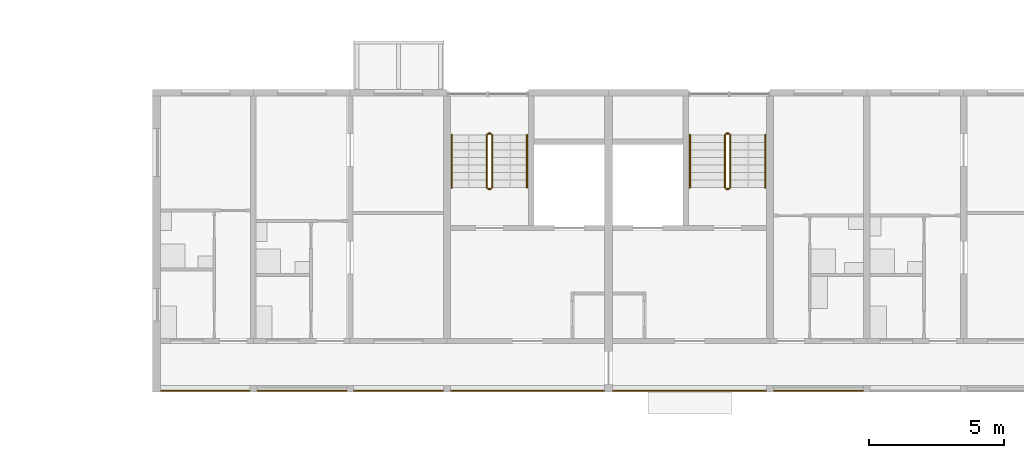
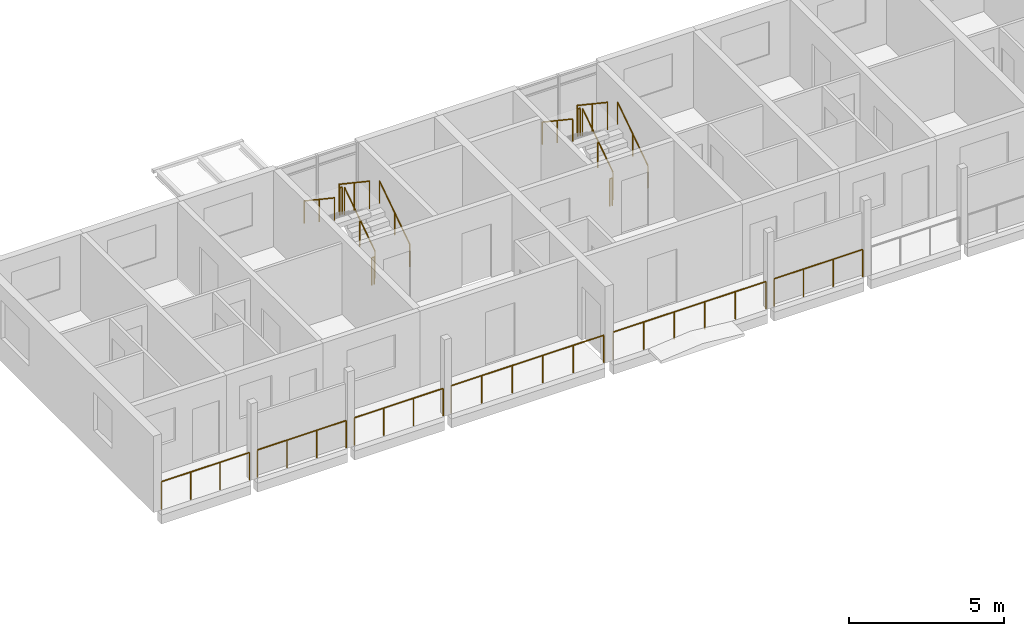
# One storey, part 86 of 100: 18 railings.
"""IFC4 building model written with IfcOpenShell, lengths in metres."""

import ifcopenshell
import ifcopenshell.guid

model = None  # the IFC model being written
_history = None  # IfcOwnerHistory: only IFC2X3 demands one
_inside = {}  # id of a spatial element -> (the spatial element, [elements in it])
_under = {}  # id of a project, library or spatial element -> (it, [spatial elements below it])
_declared = {}  # id of a project -> (the project, [libraries it declares])
_typed = {}  # id of a type object -> (the type object, [elements of that type])
_made_of = {}  # id of a material, layer set ... -> (it, [elements and type objects made of it])


def new_model(schema):
    """Start an empty IFC model of exactly this schema.

    Asked for "IFC4X3", IfcOpenShell would pick the latest addendum, in which some entities
    have other attributes; the version numbers below select the first issue.
    IFC2X3 requires an IfcOwnerHistory on every rooted entity: one is made here for all.
    """
    global model, _history
    if schema == "IFC4X3":
        model = ifcopenshell.file(schema_version=(4, 3, 0, 0))
    else:
        model = ifcopenshell.file(schema=schema)
    _inside.clear()
    _under.clear()
    _declared.clear()
    _typed.clear()
    _made_of.clear()
    _history = None
    if model.schema == "IFC2X3":
        org = make("IfcOrganization", Name="unknown")
        user = make(
            "IfcPersonAndOrganization",
            ThePerson=make("IfcPerson", FamilyName="unknown"),
            TheOrganization=org,
        )
        app = make(
            "IfcApplication",
            ApplicationDeveloper=org,
            Version="unknown",
            ApplicationFullName="unknown",
            ApplicationIdentifier="unknown",
        )
        _history = make(
            "IfcOwnerHistory",
            OwningUser=user,
            OwningApplication=app,
            ChangeAction="ADDED",
            CreationDate=0,
        )
    return model


def make(cls, **values):
    """One entity of the class cls with the attributes given. An attribute that is None is left unset."""
    return model.create_entity(
        cls, **{name: value for name, value in values.items() if value is not None}
    )


def rooted(cls, **values):
    """An entity with a GlobalId (a new one), such as an element, a storey or a relation."""
    return make(cls, GlobalId=ifcopenshell.guid.new(), OwnerHistory=_history, **values)


def si_unit(unit_type, name, prefix=None):
    """IfcSIUnit, for example si_unit("LENGTHUNIT", "METRE", prefix="MILLI")."""
    return make("IfcSIUnit", UnitType=unit_type, Prefix=prefix, Name=name)


def assignment(units):
    """IfcUnitAssignment: the units of a project."""
    return None if units is None else make("IfcUnitAssignment", Units=units)


def point(xyz):
    """IfcCartesianPoint."""
    return None if xyz is None else make("IfcCartesianPoint", Coordinates=xyz)


def direction(xyz):
    """IfcDirection."""
    return None if xyz is None else make("IfcDirection", DirectionRatios=xyz)


def frame(location, z_axis=None, x_axis=None):
    """IfcAxis2Placement3D, a coordinate frame: its origin and axes. An axis left out is left unset."""
    return make(
        "IfcAxis2Placement3D",
        Location=point(location),
        Axis=direction(z_axis),
        RefDirection=direction(x_axis),
    )


def frame_2d(location, x_axis=None):
    """IfcAxis2Placement2D, a coordinate frame in the plane: its origin and x axis."""
    return make(
        "IfcAxis2Placement2D", Location=point(location), RefDirection=direction(x_axis)
    )


def origin():
    """The frame at (0, 0, 0) with its axes left unset."""
    return frame((0.0, 0.0, 0.0))


def origin_2d():
    """The frame at (0, 0) in the plane with its x axis left unset."""
    return frame_2d((0.0, 0.0))


def place(relative_to, where):
    """IfcLocalPlacement: puts the frame where relative to a parent placement (None: the world)."""
    return make(
        "IfcLocalPlacement", PlacementRelTo=relative_to, RelativePlacement=where
    )


def context(
    kind, dimensions, precision=None, world=None, true_north=None, identifier=None
):
    """IfcGeometricRepresentationContext, for example the 3D "Model" context."""
    return make(
        "IfcGeometricRepresentationContext",
        ContextIdentifier=identifier,
        ContextType=kind,
        CoordinateSpaceDimension=dimensions,
        Precision=precision,
        WorldCoordinateSystem=world,
        TrueNorth=true_north,
    )


def subcontext(parent, identifier, kind, view, scale=None):
    """IfcGeometricRepresentationSubContext, for example "Body" below "Model"."""
    return make(
        "IfcGeometricRepresentationSubContext",
        ContextIdentifier=identifier,
        ContextType=kind,
        ParentContext=parent,
        TargetScale=scale,
        TargetView=view,
    )


def project(units=None, contexts=None):
    """IfcProject with its units and contexts."""
    return rooted(
        "IfcProject",
        Name="project",
        RepresentationContexts=contexts,
        UnitsInContext=assignment(units),
    )


def spatial(cls, under=None, at=None, **own):
    """A site, building, storey or space (cls), placed at a placement, below another one or the project."""
    s = rooted(cls, ObjectPlacement=at, **own)
    if under is not None:
        _under.setdefault(under.id(), (under, []))[1].append(s)
    return s


def profile(cls, at=None, kind="AREA", **sizes):
    """A parametric profile (cls). Its sizes go by their IFC names, for example OverallWidth=200.0."""
    return make(cls, ProfileType=kind, Position=at, **sizes)


def circle(**sizes):
    """IfcCircleProfileDef."""
    return profile("IfcCircleProfileDef", **sizes)


def extrude(swept, where, along, depth):
    """IfcExtrudedAreaSolid: the profile swept, set in the frame where, extruded along a direction by depth."""
    return make(
        "IfcExtrudedAreaSolid",
        SweptArea=swept,
        Position=where,
        ExtrudedDirection=direction(along),
        Depth=depth,
    )


def shape(context_of_items, identifier, shape_type, items):
    """IfcShapeRepresentation: the items that make up one representation, for example the "Body"."""
    return make(
        "IfcShapeRepresentation",
        ContextOfItems=context_of_items,
        RepresentationIdentifier=identifier,
        RepresentationType=shape_type,
        Items=items,
    )


def material(Name=None, Category=None):
    """IfcMaterial."""
    return make("IfcMaterial", Name=Name, Category=Category)


def made_of(thing, what):
    """Note that an element or type object is made of a material, layer set ...; save() writes the relation."""
    if what is not None:
        _made_of.setdefault(what.id(), (what, []))[1].append(thing)
    return thing


def type_object(cls, material=None, **own):
    """A type object (cls), such as IfcWallType, which elements share."""
    return made_of(rooted(cls, **own), material)


def element(
    cls,
    number,
    at=None,
    inside=None,
    cuts=None,
    type_object=None,
    material=None,
    context=None,
    identifier="Body",
    shape_type=None,
    held_by="IfcProductDefinitionShape",
    body=None,
    shapes=None,
    **own,
):
    """One element of the class cls, such as IfcWall. Its Tag is "e" and its number.

    at: its placement. inside: the storey or other place that contains it. cuts: it is an
    opening in that element (IfcRelVoidsElement). A single representation is given by context,
    identifier, shape_type and body (its items); several are given by shapes. held_by: the class
    of the entity that holds the representations. save() writes the other relations.
    """
    e = rooted(cls, Tag="e%d" % number, ObjectPlacement=at, **own)
    if body is not None:
        shapes = [shape(context, identifier, shape_type, body)]
    if shapes is not None:
        e.Representation = make(held_by, Representations=shapes)
    if inside is not None:
        _inside.setdefault(inside.id(), (inside, []))[1].append(e)
    if cuts is not None:
        rooted(
            "IfcRelVoidsElement", RelatingBuildingElement=cuts, RelatedOpeningElement=e
        )
    if type_object is not None:
        _typed.setdefault(type_object.id(), (type_object, []))[1].append(e)
    return made_of(e, material)


def aggregate(whole, parts):
    """IfcRelAggregates: a whole, such as a stair, and the parts it consists of."""
    return rooted("IfcRelAggregates", RelatingObject=whole, RelatedObjects=parts)


def save(model, path):
    """Write the relations noted so far, then the file.

    IfcRelAggregates (storeys below a building ...), IfcRelContainedInSpatialStructure (elements
    in a storey), IfcRelDefinesByType, IfcRelAssociatesMaterial and IfcRelDeclares: one each for
    every whole, place, type object, material and project.
    """
    for whole, parts in _under.values():
        aggregate(whole, parts)
    for where, things in _inside.values():
        rooted(
            "IfcRelContainedInSpatialStructure",
            RelatedElements=things,
            RelatingStructure=where,
        )
    for kind, things in _typed.values():
        rooted("IfcRelDefinesByType", RelatedObjects=things, RelatingType=kind)
    for what, things in _made_of.values():
        rooted("IfcRelAssociatesMaterial", RelatedObjects=things, RelatingMaterial=what)
    for by, libraries in _declared.values():
        rooted("IfcRelDeclares", RelatingContext=by, RelatedDefinitions=libraries)
    model.write(path)


model = new_model("IFC4")

# Units and contexts
model_context = context("Model", 3, precision=1e-05, world=origin(), true_north=direction((0.0, 1.0)))
body_context = subcontext(model_context, "Body", "Model", "MODEL_VIEW")
ifc_project = project(units=[si_unit("LENGTHUNIT", "METRE"), si_unit("AREAUNIT", "SQUARE_METRE"), si_unit("VOLUMEUNIT", "CUBIC_METRE"), si_unit("PLANEANGLEUNIT", "RADIAN"), si_unit("MASSUNIT", "GRAM", prefix="KILO")], contexts=[model_context])

# Site, building, storey
site_placement = place(None, origin())
site = spatial("IfcSite", under=ifc_project, at=site_placement, CompositionType="ELEMENT")
building_placement = place(site_placement, origin())
building = spatial("IfcBuilding", under=site, at=building_placement, Name="Ridgestep Commons", CompositionType="ELEMENT")
storey_placement = place(building_placement, frame((0.0, 0.0, 9.0)))
storey = spatial("IfcBuildingStorey", under=building, at=storey_placement, Name="L03", CompositionType="ELEMENT", Elevation=9.0)

# Railings
ifc_material_1 = material(Name="Structural steel S355JR", Category="steel")
railing_type_1 = type_object("IfcRailingType", Name="Guard 1100", PredefinedType="GUARDRAIL", material=ifc_material_1)
railing_1_placement = place(storey_placement, frame((146.970947265625, 11.800048828125, 0.0)))
element("IfcRailing", 1, at=railing_1_placement, inside=storey, type_object=railing_type_1, Name="Gallery guard D 03.1", PredefinedType="GUARDRAIL", context=body_context, shape_type="SweptSolid", body=[
    extrude(circle(Radius=0.02392578125, at=origin_2d()), frame((0.0, 0.0, 1.076171875), z_axis=(1.0, 0.0, 0.0), x_axis=(0.0, 1.0, 0.0)), (0.0, 0.0, 1.0), 3.282958984375),
    extrude(circle(Radius=0.02099609375, at=origin_2d()), origin(), (0.0, 0.0, 1.0), 1.052001953125),
    extrude(circle(Radius=0.02099609375, at=origin_2d()), frame((1.09423828125, 0.0, 0.0)), (0.0, 0.0, 1.0), 1.052001953125),
    extrude(circle(Radius=0.02099609375, at=origin_2d()), frame((2.188720703125, 0.0, 0.0)), (0.0, 0.0, 1.0), 1.052001953125),
    extrude(circle(Radius=0.02099609375, at=origin_2d()), frame((3.282958984375, 0.0, 0.0)), (0.0, 0.0, 1.0), 1.052001953125),
])
for number, where, name in (
    (2, (150.5458984375, 11.800048828125, 0.0), "Gallery guard D 03.2"),
    (3, (154.14599609375, 11.800048828125, 0.0), "Gallery guard D 03.3"),
):
    element("IfcRailing", number, at=place(storey_placement, frame(where)), inside=storey, type_object=railing_type_1, Name=name, PredefinedType="GUARDRAIL", context=body_context, shape_type="SweptSolid", body=[
        extrude(circle(Radius=0.02392578125, at=origin_2d()), frame((0.0, 0.0, 1.076171875), z_axis=(1.0, 0.0, 0.0), x_axis=(0.0, 1.0, 0.0)), (0.0, 0.0, 1.0), 3.30810546875),
        extrude(circle(Radius=0.02099609375, at=origin_2d()), origin(), (0.0, 0.0, 1.0), 1.052001953125),
        extrude(circle(Radius=0.02099609375, at=origin_2d()), frame((1.102783203125, 0.0, 0.0)), (0.0, 0.0, 1.0), 1.052001953125),
        extrude(circle(Radius=0.02099609375, at=origin_2d()), frame((2.205322265625, 0.0, 0.0)), (0.0, 0.0, 1.0), 1.052001953125),
        extrude(circle(Radius=0.02099609375, at=origin_2d()), frame((3.30810546875, 0.0, 0.0)), (0.0, 0.0, 1.0), 1.052001953125),
    ])
railing_2_placement = place(storey_placement, frame((157.74609375, 11.800048828125, 0.0)))
element("IfcRailing", 4, at=railing_2_placement, inside=storey, type_object=railing_type_1, Name="Gallery guard D 03.4", PredefinedType="GUARDRAIL", context=body_context, shape_type="SweptSolid", body=[
    extrude(circle(Radius=0.02392578125, at=origin_2d()), frame((0.0, 0.0, 1.076171875), z_axis=(1.0, 0.0, 0.0), x_axis=(0.0, 1.0, 0.0)), (0.0, 0.0, 1.0), 5.682861328125),
    extrude(circle(Radius=0.02099609375, at=origin_2d()), origin(), (0.0, 0.0, 1.0), 1.052001953125),
    extrude(circle(Radius=0.02099609375, at=origin_2d()), frame((1.136474609375, 0.0, 0.0)), (0.0, 0.0, 1.0), 1.052001953125),
    extrude(circle(Radius=0.02099609375, at=origin_2d()), frame((2.273193359375, 0.0, 0.0)), (0.0, 0.0, 1.0), 1.052001953125),
    extrude(circle(Radius=0.02099609375, at=origin_2d()), frame((3.40966796875, 0.0, 0.0)), (0.0, 0.0, 1.0), 1.052001953125),
    extrude(circle(Radius=0.02099609375, at=origin_2d()), frame((4.54638671875, 0.0, 0.0)), (0.0, 0.0, 1.0), 1.052001953125),
    extrude(circle(Radius=0.02099609375, at=origin_2d()), frame((5.682861328125, 0.0, 0.0)), (0.0, 0.0, 1.0), 1.052001953125),
])
railing_3_placement = place(storey_placement, frame((163.77099609375, 11.800048828125, 0.0)))
element("IfcRailing", 5, at=railing_3_placement, inside=storey, type_object=railing_type_1, Name="Gallery guard D 03.5", PredefinedType="GUARDRAIL", context=body_context, shape_type="SweptSolid", body=[
    extrude(circle(Radius=0.02392578125, at=origin_2d()), frame((0.0, 0.0, 1.076171875), z_axis=(1.0, 0.0, 0.0), x_axis=(0.0, 1.0, 0.0)), (0.0, 0.0, 1.0), 5.68310546875),
    extrude(circle(Radius=0.02099609375, at=origin_2d()), origin(), (0.0, 0.0, 1.0), 1.052001953125),
    extrude(circle(Radius=0.02099609375, at=origin_2d()), frame((1.13671875, 0.0, 0.0)), (0.0, 0.0, 1.0), 1.052001953125),
    extrude(circle(Radius=0.02099609375, at=origin_2d()), frame((2.273193359375, 0.0, 0.0)), (0.0, 0.0, 1.0), 1.052001953125),
    extrude(circle(Radius=0.02099609375, at=origin_2d()), frame((3.409912109375, 0.0, 0.0)), (0.0, 0.0, 1.0), 1.052001953125),
    extrude(circle(Radius=0.02099609375, at=origin_2d()), frame((4.54638671875, 0.0, 0.0)), (0.0, 0.0, 1.0), 1.052001953125),
    extrude(circle(Radius=0.02099609375, at=origin_2d()), frame((5.68310546875, 0.0, 0.0)), (0.0, 0.0, 1.0), 1.052001953125),
])
railing_4_placement = place(storey_placement, frame((169.74609375, 11.800048828125, 0.0)))
element("IfcRailing", 6, at=railing_4_placement, inside=storey, type_object=railing_type_1, Name="Gallery guard D 03.6", PredefinedType="GUARDRAIL", context=body_context, shape_type="SweptSolid", body=[
    extrude(circle(Radius=0.02392578125, at=origin_2d()), frame((0.0, 0.0, 1.076171875), z_axis=(1.0, 0.0, 0.0), x_axis=(0.0, 1.0, 0.0)), (0.0, 0.0, 1.0), 3.307861328125),
    extrude(circle(Radius=0.02099609375, at=origin_2d()), origin(), (0.0, 0.0, 1.0), 1.052001953125),
    extrude(circle(Radius=0.02099609375, at=origin_2d()), frame((1.1025390625, 0.0, 0.0)), (0.0, 0.0, 1.0), 1.052001953125),
    extrude(circle(Radius=0.02099609375, at=origin_2d()), frame((2.205322265625, 0.0, 0.0)), (0.0, 0.0, 1.0), 1.052001953125),
    extrude(circle(Radius=0.02099609375, at=origin_2d()), frame((3.307861328125, 0.0, 0.0)), (0.0, 0.0, 1.0), 1.052001953125),
])
ifc_material_2 = material(Name="Structural steel S355JR", Category="steel")
railing_type_2 = type_object("IfcRailingType", Name="Stair guard 1100", PredefinedType="GUARDRAIL", material=ifc_material_2)
railing_5_placement = place(storey_placement, frame((159.27490234375, 19.35009765625, 0.1875)))
element("IfcRailing", 7, at=railing_5_placement, inside=storey, type_object=railing_type_2, Name="L03 D1C stair guard 1", PredefinedType="GUARDRAIL", context=body_context, shape_type="SweptSolid", body=[
    extrude(circle(Radius=0.02392578125, at=origin_2d()), frame((0.0, 0.0, 1.076171875), z_axis=(0.0, 0.830902050051, 0.556418712142), x_axis=(-1.0, 0.0, 0.0)), (0.0, 0.0, 1.0), 2.35888671875),
    extrude(circle(Radius=0.02099609375, at=origin_2d()), origin(), (0.0, 0.0, 1.0), 1.052001953125),
    extrude(circle(Radius=0.02099609375, at=origin_2d()), frame((0.0, 0.97998046875, 0.65625)), (0.0, 0.0, 1.0), 1.052001953125),
    extrude(circle(Radius=0.02099609375, at=origin_2d()), frame((0.0, 1.9599609375, 1.3125)), (0.0, 0.0, 1.0), 1.052001953125),
])
railing_6_placement = place(storey_placement, frame((159.22509765625, 21.360107421875, 1.5)))
element("IfcRailing", 8, at=railing_6_placement, inside=storey, type_object=railing_type_2, Name="L03 D1C stair guard 2", PredefinedType="GUARDRAIL", context=body_context, shape_type="SweptSolid", body=[
    extrude(circle(Radius=0.02392578125, at=origin_2d()), frame((0.0, 0.0, 1.076171875), z_axis=(-1.0, 0.0, 0.0), x_axis=(0.0, -1.0, 0.0)), (0.0, 0.0, 1.0), 0.10009765625),
    extrude(circle(Radius=0.02099609375, at=origin_2d()), origin(), (0.0, 0.0, 1.0), 1.052001953125),
    extrude(circle(Radius=0.02099609375, at=origin_2d()), frame((-0.10009765625, 0.0, 0.0)), (0.0, 0.0, 1.0), 1.052001953125),
])
railing_7_placement = place(storey_placement, frame((159.074951171875, 21.31005859375, 1.6875)))
element("IfcRailing", 9, at=railing_7_placement, inside=storey, type_object=railing_type_2, Name="L03 D1C stair guard 3", PredefinedType="GUARDRAIL", context=body_context, shape_type="SweptSolid", body=[
    extrude(circle(Radius=0.02392578125, at=origin_2d()), frame((0.0, 0.0, 1.076171875), z_axis=(0.0, -0.830902050051, 0.556418712142), x_axis=(1.0, 0.0, 0.0)), (0.0, 0.0, 1.0), 2.35888671875),
    extrude(circle(Radius=0.02099609375, at=origin_2d()), origin(), (0.0, 0.0, 1.0), 1.052001953125),
    extrude(circle(Radius=0.02099609375, at=origin_2d()), frame((0.0, -0.97998046875, 0.65625)), (0.0, 0.0, 1.0), 1.052001953125),
    extrude(circle(Radius=0.02099609375, at=origin_2d()), frame((0.0, -1.9599609375, 1.3125)), (0.0, 0.0, 1.0), 1.052001953125),
])
railing_8_placement = place(storey_placement, frame((159.22509765625, 19.300048828125, 0.0)))
element("IfcRailing", 10, at=railing_8_placement, inside=storey, type_object=railing_type_2, Name="L03 D1C stair guard 4", PredefinedType="GUARDRAIL", context=body_context, shape_type="SweptSolid", body=[
    extrude(circle(Radius=0.02392578125, at=origin_2d()), frame((0.0, 0.0, 1.076171875), z_axis=(-1.0, 0.0, 0.0), x_axis=(0.0, -1.0, 0.0)), (0.0, 0.0, 1.0), 0.10009765625),
    extrude(circle(Radius=0.02099609375, at=origin_2d()), origin(), (0.0, 0.0, 1.0), 1.052001953125),
    extrude(circle(Radius=0.02099609375, at=origin_2d()), frame((-0.10009765625, 0.0, 0.0)), (0.0, 0.0, 1.0), 1.052001953125),
])
railing_9_placement = place(storey_placement, frame((168.125, 19.35009765625, 0.1875)))
element("IfcRailing", 11, at=railing_9_placement, inside=storey, type_object=railing_type_2, Name="L03 D2C stair guard 1", PredefinedType="GUARDRAIL", context=body_context, shape_type="SweptSolid", body=[
    extrude(circle(Radius=0.02392578125, at=origin_2d()), frame((0.0, 0.0, 1.076171875), z_axis=(0.0, 0.830902050051, 0.556418712142), x_axis=(-1.0, 0.0, 0.0)), (0.0, 0.0, 1.0), 2.35888671875),
    extrude(circle(Radius=0.02099609375, at=origin_2d()), origin(), (0.0, 0.0, 1.0), 1.052001953125),
    extrude(circle(Radius=0.02099609375, at=origin_2d()), frame((0.0, 0.97998046875, 0.65625)), (0.0, 0.0, 1.0), 1.052001953125),
    extrude(circle(Radius=0.02099609375, at=origin_2d()), frame((0.0, 1.9599609375, 1.3125)), (0.0, 0.0, 1.0), 1.052001953125),
])
railing_10_placement = place(storey_placement, frame((168.074951171875, 21.360107421875, 1.5)))
element("IfcRailing", 12, at=railing_10_placement, inside=storey, type_object=railing_type_2, Name="L03 D2C stair guard 2", PredefinedType="GUARDRAIL", context=body_context, shape_type="SweptSolid", body=[
    extrude(circle(Radius=0.02392578125, at=origin_2d()), frame((0.0, 0.0, 1.076171875), z_axis=(-1.0, 0.0, 0.0), x_axis=(0.0, -1.0, 0.0)), (0.0, 0.0, 1.0), 0.099853515625),
    extrude(circle(Radius=0.02099609375, at=origin_2d()), origin(), (0.0, 0.0, 1.0), 1.052001953125),
    extrude(circle(Radius=0.02099609375, at=origin_2d()), frame((-0.099853515625, 0.0, 0.0)), (0.0, 0.0, 1.0), 1.052001953125),
])
railing_11_placement = place(storey_placement, frame((167.925048828125, 21.31005859375, 1.6875)))
element("IfcRailing", 13, at=railing_11_placement, inside=storey, type_object=railing_type_2, Name="L03 D2C stair guard 3", PredefinedType="GUARDRAIL", context=body_context, shape_type="SweptSolid", body=[
    extrude(circle(Radius=0.02392578125, at=origin_2d()), frame((0.0, 0.0, 1.076171875), z_axis=(0.0, -0.830902050051, 0.556418712142), x_axis=(1.0, 0.0, 0.0)), (0.0, 0.0, 1.0), 2.35888671875),
    extrude(circle(Radius=0.02099609375, at=origin_2d()), origin(), (0.0, 0.0, 1.0), 1.052001953125),
    extrude(circle(Radius=0.02099609375, at=origin_2d()), frame((0.0, -0.97998046875, 0.65625)), (0.0, 0.0, 1.0), 1.052001953125),
    extrude(circle(Radius=0.02099609375, at=origin_2d()), frame((0.0, -1.9599609375, 1.3125)), (0.0, 0.0, 1.0), 1.052001953125),
])
railing_12_placement = place(storey_placement, frame((168.074951171875, 19.300048828125, 0.0)))
element("IfcRailing", 14, at=railing_12_placement, inside=storey, type_object=railing_type_2, Name="L03 D2C stair guard 4", PredefinedType="GUARDRAIL", context=body_context, shape_type="SweptSolid", body=[
    extrude(circle(Radius=0.02392578125, at=origin_2d()), frame((0.0, 0.0, 1.076171875), z_axis=(-1.0, 0.0, 0.0), x_axis=(0.0, -1.0, 0.0)), (0.0, 0.0, 1.0), 0.099853515625),
    extrude(circle(Radius=0.02099609375, at=origin_2d()), origin(), (0.0, 0.0, 1.0), 1.052001953125),
    extrude(circle(Radius=0.02099609375, at=origin_2d()), frame((-0.099853515625, 0.0, 0.0)), (0.0, 0.0, 1.0), 1.052001953125),
])
ifc_material_3 = material(Name="Structural steel S355JR", Category="steel")
railing_type_3 = type_object("IfcRailingType", Name="Stair handrail 900", PredefinedType="HANDRAIL", material=ifc_material_3)
railing_13_placement = place(storey_placement, frame((160.574951171875, 19.35009765625, 0.1875)))
element("IfcRailing", 15, at=railing_13_placement, inside=storey, type_object=railing_type_3, Name="L03 D1C stair handrail 1", PredefinedType="HANDRAIL", context=body_context, shape_type="SweptSolid", body=[
    extrude(circle(Radius=0.02392578125, at=origin_2d()), frame((0.0, 0.0, 0.8759765625), z_axis=(0.0, 0.830902050051, 0.556418712142), x_axis=(-1.0, 0.0, 0.0)), (0.0, 0.0, 1.0), 2.35888671875),
    extrude(circle(Radius=0.02099609375, at=origin_2d()), origin(), (0.0, 0.0, 1.0), 0.851806640625),
    extrude(circle(Radius=0.02099609375, at=origin_2d()), frame((0.0, 0.97998046875, 0.65625)), (0.0, 0.0, 1.0), 0.851806640625),
    extrude(circle(Radius=0.02099609375, at=origin_2d()), frame((0.0, 1.9599609375, 1.3125)), (0.0, 0.0, 1.0), 0.851806640625),
])
railing_14_placement = place(storey_placement, frame((157.77490234375, 21.31005859375, 1.6875)))
element("IfcRailing", 16, at=railing_14_placement, inside=storey, type_object=railing_type_3, Name="L03 D1C stair handrail 2", PredefinedType="HANDRAIL", context=body_context, shape_type="SweptSolid", body=[
    extrude(circle(Radius=0.02392578125, at=origin_2d()), frame((0.0, 0.0, 0.8759765625), z_axis=(0.0, -0.830902050051, 0.556418712142), x_axis=(1.0, 0.0, 0.0)), (0.0, 0.0, 1.0), 2.35888671875),
    extrude(circle(Radius=0.02099609375, at=origin_2d()), origin(), (0.0, 0.0, 1.0), 0.851806640625),
    extrude(circle(Radius=0.02099609375, at=origin_2d()), frame((0.0, -0.97998046875, 0.65625)), (0.0, 0.0, 1.0), 0.851806640625),
    extrude(circle(Radius=0.02099609375, at=origin_2d()), frame((0.0, -1.9599609375, 1.3125)), (0.0, 0.0, 1.0), 0.851806640625),
])
railing_15_placement = place(storey_placement, frame((169.425048828125, 19.35009765625, 0.1875)))
element("IfcRailing", 17, at=railing_15_placement, inside=storey, type_object=railing_type_3, Name="L03 D2C stair handrail 1", PredefinedType="HANDRAIL", context=body_context, shape_type="SweptSolid", body=[
    extrude(circle(Radius=0.02392578125, at=origin_2d()), frame((0.0, 0.0, 0.8759765625), z_axis=(0.0, 0.830902050051, 0.556418712142), x_axis=(-1.0, 0.0, 0.0)), (0.0, 0.0, 1.0), 2.35888671875),
    extrude(circle(Radius=0.02099609375, at=origin_2d()), origin(), (0.0, 0.0, 1.0), 0.851806640625),
    extrude(circle(Radius=0.02099609375, at=origin_2d()), frame((0.0, 0.97998046875, 0.65625)), (0.0, 0.0, 1.0), 0.851806640625),
    extrude(circle(Radius=0.02099609375, at=origin_2d()), frame((0.0, 1.9599609375, 1.3125)), (0.0, 0.0, 1.0), 0.851806640625),
])
railing_16_placement = place(storey_placement, frame((166.625, 21.31005859375, 1.6875)))
element("IfcRailing", 18, at=railing_16_placement, inside=storey, type_object=railing_type_3, Name="L03 D2C stair handrail 2", PredefinedType="HANDRAIL", context=body_context, shape_type="SweptSolid", body=[
    extrude(circle(Radius=0.02392578125, at=origin_2d()), frame((0.0, 0.0, 0.8759765625), z_axis=(0.0, -0.830902050051, 0.556418712142), x_axis=(1.0, 0.0, 0.0)), (0.0, 0.0, 1.0), 2.35888671875),
    extrude(circle(Radius=0.02099609375, at=origin_2d()), origin(), (0.0, 0.0, 1.0), 0.851806640625),
    extrude(circle(Radius=0.02099609375, at=origin_2d()), frame((0.0, -0.97998046875, 0.65625)), (0.0, 0.0, 1.0), 0.851806640625),
    extrude(circle(Radius=0.02099609375, at=origin_2d()), frame((0.0, -1.9599609375, 1.3125)), (0.0, 0.0, 1.0), 0.851806640625),
])

save(model, "model.ifc")
